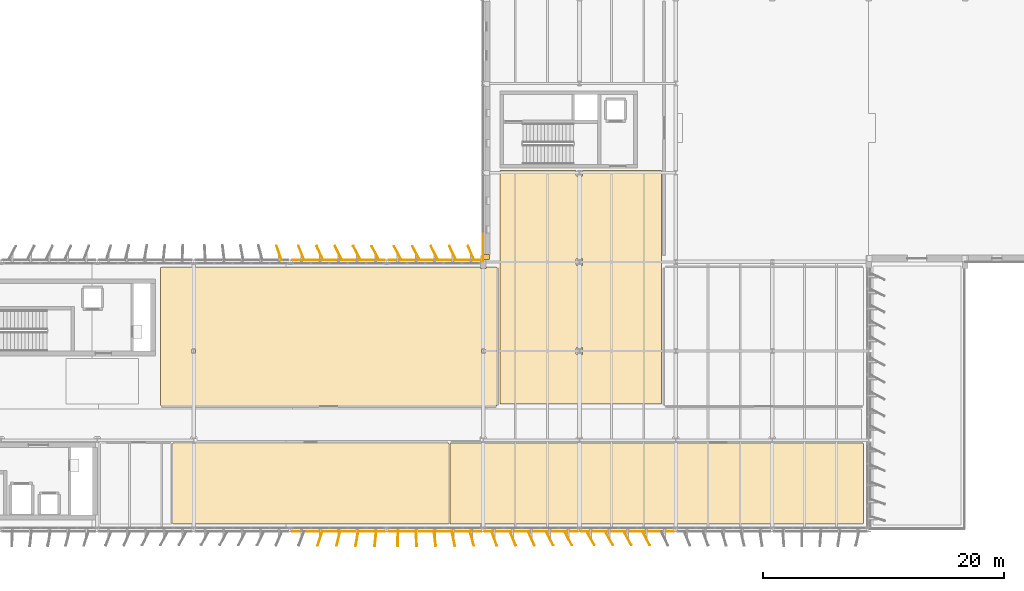
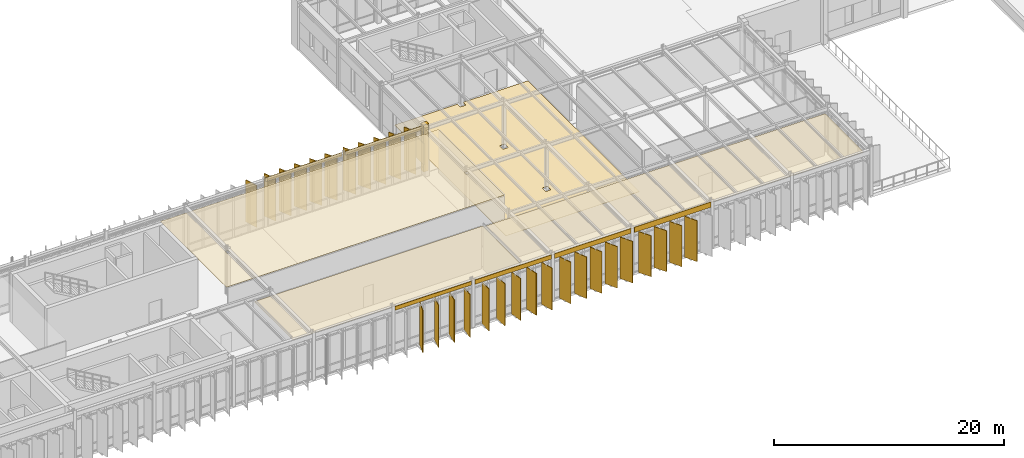
# One storey, part 45 of 48: 41 coverings.
"""IFC4 building model written with IfcOpenShell, lengths in metres."""

import ifcopenshell
import ifcopenshell.guid

model = None  # the IFC model being written
_history = None  # IfcOwnerHistory: only IFC2X3 demands one
_inside = {}  # id of a spatial element -> (the spatial element, [elements in it])
_under = {}  # id of a project, library or spatial element -> (it, [spatial elements below it])
_declared = {}  # id of a project -> (the project, [libraries it declares])
_typed = {}  # id of a type object -> (the type object, [elements of that type])
_made_of = {}  # id of a material, layer set ... -> (it, [elements and type objects made of it])


def new_model(schema):
    """Start an empty IFC model of exactly this schema.

    Asked for "IFC4X3", IfcOpenShell would pick the latest addendum, in which some entities
    have other attributes; the version numbers below select the first issue.
    IFC2X3 requires an IfcOwnerHistory on every rooted entity: one is made here for all.
    """
    global model, _history
    if schema == "IFC4X3":
        model = ifcopenshell.file(schema_version=(4, 3, 0, 0))
    else:
        model = ifcopenshell.file(schema=schema)
    _inside.clear()
    _under.clear()
    _declared.clear()
    _typed.clear()
    _made_of.clear()
    _history = None
    if model.schema == "IFC2X3":
        org = make("IfcOrganization", Name="unknown")
        user = make(
            "IfcPersonAndOrganization",
            ThePerson=make("IfcPerson", FamilyName="unknown"),
            TheOrganization=org,
        )
        app = make(
            "IfcApplication",
            ApplicationDeveloper=org,
            Version="unknown",
            ApplicationFullName="unknown",
            ApplicationIdentifier="unknown",
        )
        _history = make(
            "IfcOwnerHistory",
            OwningUser=user,
            OwningApplication=app,
            ChangeAction="ADDED",
            CreationDate=0,
        )
    return model


def make(cls, **values):
    """One entity of the class cls with the attributes given. An attribute that is None is left unset."""
    return model.create_entity(
        cls, **{name: value for name, value in values.items() if value is not None}
    )


def rooted(cls, **values):
    """An entity with a GlobalId (a new one), such as an element, a storey or a relation."""
    return make(cls, GlobalId=ifcopenshell.guid.new(), OwnerHistory=_history, **values)


def si_unit(unit_type, name, prefix=None):
    """IfcSIUnit, for example si_unit("LENGTHUNIT", "METRE", prefix="MILLI")."""
    return make("IfcSIUnit", UnitType=unit_type, Prefix=prefix, Name=name)


def assignment(units):
    """IfcUnitAssignment: the units of a project."""
    return None if units is None else make("IfcUnitAssignment", Units=units)


def point(xyz):
    """IfcCartesianPoint."""
    return None if xyz is None else make("IfcCartesianPoint", Coordinates=xyz)


def direction(xyz):
    """IfcDirection."""
    return None if xyz is None else make("IfcDirection", DirectionRatios=xyz)


def frame(location, z_axis=None, x_axis=None):
    """IfcAxis2Placement3D, a coordinate frame: its origin and axes. An axis left out is left unset."""
    return make(
        "IfcAxis2Placement3D",
        Location=point(location),
        Axis=direction(z_axis),
        RefDirection=direction(x_axis),
    )


def frame_2d(location, x_axis=None):
    """IfcAxis2Placement2D, a coordinate frame in the plane: its origin and x axis."""
    return make(
        "IfcAxis2Placement2D", Location=point(location), RefDirection=direction(x_axis)
    )


def origin():
    """The frame at (0, 0, 0) with its axes left unset."""
    return frame((0.0, 0.0, 0.0))


def origin_2d():
    """The frame at (0, 0) in the plane with its x axis left unset."""
    return frame_2d((0.0, 0.0))


def place(relative_to, where):
    """IfcLocalPlacement: puts the frame where relative to a parent placement (None: the world)."""
    return make(
        "IfcLocalPlacement", PlacementRelTo=relative_to, RelativePlacement=where
    )


def context(
    kind, dimensions, precision=None, world=None, true_north=None, identifier=None
):
    """IfcGeometricRepresentationContext, for example the 3D "Model" context."""
    return make(
        "IfcGeometricRepresentationContext",
        ContextIdentifier=identifier,
        ContextType=kind,
        CoordinateSpaceDimension=dimensions,
        Precision=precision,
        WorldCoordinateSystem=world,
        TrueNorth=true_north,
    )


def subcontext(parent, identifier, kind, view, scale=None):
    """IfcGeometricRepresentationSubContext, for example "Body" below "Model"."""
    return make(
        "IfcGeometricRepresentationSubContext",
        ContextIdentifier=identifier,
        ContextType=kind,
        ParentContext=parent,
        TargetScale=scale,
        TargetView=view,
    )


def project(units=None, contexts=None):
    """IfcProject with its units and contexts."""
    return rooted(
        "IfcProject",
        Name="project",
        RepresentationContexts=contexts,
        UnitsInContext=assignment(units),
    )


def spatial(cls, under=None, at=None, **own):
    """A site, building, storey or space (cls), placed at a placement, below another one or the project."""
    s = rooted(cls, ObjectPlacement=at, **own)
    if under is not None:
        _under.setdefault(under.id(), (under, []))[1].append(s)
    return s


def polyline(points):
    """IfcPolyline through the points."""
    return make("IfcPolyline", Points=[point(p) for p in points])


def profile(cls, at=None, kind="AREA", **sizes):
    """A parametric profile (cls). Its sizes go by their IFC names, for example OverallWidth=200.0."""
    return make(cls, ProfileType=kind, Position=at, **sizes)


def rectangle(**sizes):
    """IfcRectangleProfileDef."""
    return profile("IfcRectangleProfileDef", **sizes)


def outline(outer, holes=None, kind="AREA"):
    """IfcArbitraryClosedProfileDef: a profile drawn as a closed curve; with holes, ...WithVoids."""
    if holes is None:
        return make("IfcArbitraryClosedProfileDef", ProfileType=kind, OuterCurve=outer)
    return make(
        "IfcArbitraryProfileDefWithVoids",
        ProfileType=kind,
        OuterCurve=outer,
        InnerCurves=holes,
    )


def extrude(swept, where, along, depth):
    """IfcExtrudedAreaSolid: the profile swept, set in the frame where, extruded along a direction by depth."""
    return make(
        "IfcExtrudedAreaSolid",
        SweptArea=swept,
        Position=where,
        ExtrudedDirection=direction(along),
        Depth=depth,
    )


def shape(context_of_items, identifier, shape_type, items):
    """IfcShapeRepresentation: the items that make up one representation, for example the "Body"."""
    return make(
        "IfcShapeRepresentation",
        ContextOfItems=context_of_items,
        RepresentationIdentifier=identifier,
        RepresentationType=shape_type,
        Items=items,
    )


def material(Name=None, Category=None):
    """IfcMaterial."""
    return make("IfcMaterial", Name=Name, Category=Category)


def layer(
    of_material, thickness, ventilated=None, Name=None, Category=None, Priority=None
):
    """IfcMaterialLayer: one layer of a wall or slab, of a material (None: an air gap)."""
    return make(
        "IfcMaterialLayer",
        Material=of_material,
        LayerThickness=thickness,
        IsVentilated=ventilated,
        Name=Name,
        Category=Category,
        Priority=Priority,
    )


def layer_set(layers, Name=None):
    """IfcMaterialLayerSet."""
    return make("IfcMaterialLayerSet", MaterialLayers=layers, LayerSetName=Name)


def made_of(thing, what):
    """Note that an element or type object is made of a material, layer set ...; save() writes the relation."""
    if what is not None:
        _made_of.setdefault(what.id(), (what, []))[1].append(thing)
    return thing


def type_object(cls, material=None, **own):
    """A type object (cls), such as IfcWallType, which elements share."""
    return made_of(rooted(cls, **own), material)


def element(
    cls,
    number,
    at=None,
    inside=None,
    cuts=None,
    type_object=None,
    material=None,
    context=None,
    identifier="Body",
    shape_type=None,
    held_by="IfcProductDefinitionShape",
    body=None,
    shapes=None,
    **own,
):
    """One element of the class cls, such as IfcWall. Its Tag is "e" and its number.

    at: its placement. inside: the storey or other place that contains it. cuts: it is an
    opening in that element (IfcRelVoidsElement). A single representation is given by context,
    identifier, shape_type and body (its items); several are given by shapes. held_by: the class
    of the entity that holds the representations. save() writes the other relations.
    """
    e = rooted(cls, Tag="e%d" % number, ObjectPlacement=at, **own)
    if body is not None:
        shapes = [shape(context, identifier, shape_type, body)]
    if shapes is not None:
        e.Representation = make(held_by, Representations=shapes)
    if inside is not None:
        _inside.setdefault(inside.id(), (inside, []))[1].append(e)
    if cuts is not None:
        rooted(
            "IfcRelVoidsElement", RelatingBuildingElement=cuts, RelatedOpeningElement=e
        )
    if type_object is not None:
        _typed.setdefault(type_object.id(), (type_object, []))[1].append(e)
    return made_of(e, material)


def aggregate(whole, parts):
    """IfcRelAggregates: a whole, such as a stair, and the parts it consists of."""
    return rooted("IfcRelAggregates", RelatingObject=whole, RelatedObjects=parts)


def save(model, path):
    """Write the relations noted so far, then the file.

    IfcRelAggregates (storeys below a building ...), IfcRelContainedInSpatialStructure (elements
    in a storey), IfcRelDefinesByType, IfcRelAssociatesMaterial and IfcRelDeclares: one each for
    every whole, place, type object, material and project.
    """
    for whole, parts in _under.values():
        aggregate(whole, parts)
    for where, things in _inside.values():
        rooted(
            "IfcRelContainedInSpatialStructure",
            RelatedElements=things,
            RelatingStructure=where,
        )
    for kind, things in _typed.values():
        rooted("IfcRelDefinesByType", RelatedObjects=things, RelatingType=kind)
    for what, things in _made_of.values():
        rooted("IfcRelAssociatesMaterial", RelatedObjects=things, RelatingMaterial=what)
    for by, libraries in _declared.values():
        rooted("IfcRelDeclares", RelatingContext=by, RelatedDefinitions=libraries)
    model.write(path)


model = new_model("IFC4")

# Units and contexts
model_context = context("Model", 3, precision=1e-05, world=origin(), true_north=direction((0.0, 1.0)))
body_context = subcontext(model_context, "Body", "Model", "MODEL_VIEW")
ifc_project = project(units=[si_unit("LENGTHUNIT", "METRE"), si_unit("AREAUNIT", "SQUARE_METRE"), si_unit("VOLUMEUNIT", "CUBIC_METRE"), si_unit("PLANEANGLEUNIT", "RADIAN"), si_unit("MASSUNIT", "GRAM", prefix="KILO")], contexts=[model_context])

# Site, building, storey
site_placement = place(None, origin())
site = spatial("IfcSite", under=ifc_project, at=site_placement, CompositionType="ELEMENT")
building_placement = place(site_placement, origin())
building = spatial("IfcBuilding", under=site, at=building_placement, Name="Valkorina Park Police Headquarters", CompositionType="ELEMENT")
storey_placement = place(building_placement, frame((0.0, 0.0, 18.10009765625)))
storey = spatial("IfcBuildingStorey", under=building, at=storey_placement, Name="L05", CompositionType="ELEMENT", Elevation=18.10009765625)

# Coverings
ifc_material_1 = material(Name="Acoustic mineral board")
ifc_layer_1 = layer(ifc_material_1, 0.02490234375)
ifc_layer_set_1 = layer_set([ifc_layer_1], Name="Acoustic mineral board")
covering_type_1 = type_object("IfcCoveringType", Name="COV-CEILING-ACOUST", PredefinedType="CEILING", material=ifc_layer_set_1)
covering_1_placement = place(storey_placement, frame((0.0, 0.0, 4.5048828125)))
element("IfcCovering", 1, at=covering_1_placement, inside=storey, type_object=covering_type_1, Name="Dispatch Shift Rest and Quiet Pantry Acoustic Suspended Ceiling", PredefinedType="CEILING", context=body_context, shape_type="SweptSolid", body=[
    extrude(outline(polyline([(77.8955078125, 44.158447265625), (77.8876953125, 44.15966796875), (77.8798828125, 44.159912109375), (55.1201171875, 44.159912109375), (55.1123046875, 44.15966796875), (55.1044921875, 44.158447265625), (55.0966796875, 44.156494140625), (55.08935546875, 44.15380859375), (55.082275390625, 44.150634765625), (55.07568359375, 44.146484375), (55.069091796875, 44.141845703125), (55.0634765625, 44.13671875), (55.05810546875, 44.130859375), (55.053466796875, 44.12451171875), (55.04931640625, 44.11767578125), (55.046142578125, 44.110595703125), (55.04345703125, 44.103271484375), (55.04150390625, 44.095703125), (55.040283203125, 44.087890625), (55.0400390625, 44.080078125), (55.0400390625, 37.52001953125), (55.040283203125, 37.51220703125), (55.04150390625, 37.50439453125), (55.04345703125, 37.496826171875), (55.046142578125, 37.489501953125), (55.04931640625, 37.482421875), (55.053466796875, 37.4755859375), (55.05810546875, 37.46923828125), (55.0634765625, 37.46337890625), (55.069091796875, 37.458251953125), (55.07568359375, 37.45361328125), (55.082275390625, 37.449462890625), (55.08935546875, 37.446044921875), (55.0966796875, 37.443359375), (55.1044921875, 37.44140625), (55.1123046875, 37.4404296875), (55.1201171875, 37.43994140625), (77.8798828125, 37.43994140625), (77.8876953125, 37.4404296875), (77.8955078125, 37.44140625), (77.9033203125, 37.443359375), (77.91064453125, 37.446044921875), (77.917724609375, 37.449462890625), (77.92431640625, 37.45361328125), (77.930908203125, 37.458251953125), (77.9365234375, 37.46337890625), (77.94189453125, 37.46923828125), (77.946533203125, 37.4755859375), (77.95068359375, 37.482421875), (77.953857421875, 37.489501953125), (77.95654296875, 37.496826171875), (77.95849609375, 37.50439453125), (77.959716796875, 37.51220703125), (77.9599609375, 37.52001953125), (77.9599609375, 44.080078125), (77.959716796875, 44.087890625), (77.95849609375, 44.095703125), (77.95654296875, 44.103271484375), (77.953857421875, 44.110595703125), (77.95068359375, 44.11767578125), (77.946533203125, 44.12451171875), (77.94189453125, 44.130859375), (77.9365234375, 44.13671875), (77.930908203125, 44.141845703125), (77.92431640625, 44.146484375), (77.917724609375, 44.150634765625), (77.91064453125, 44.15380859375), (77.9033203125, 44.156494140625), (77.8955078125, 44.158447265625)])), origin(), (0.0, 0.0, 1.0), 0.02490234375),
])
covering_2_placement = place(storey_placement, frame((0.0, 0.0, 4.5048828125)))
element("IfcCovering", 2, at=covering_2_placement, inside=storey, type_object=covering_type_1, Name="Traffic Management CCTV Wall Room Acoustic Suspended Ceiling", PredefinedType="CEILING", context=body_context, shape_type="SweptSolid", body=[
    extrude(outline(polyline([(80.550537109375, 58.758544921875), (80.542724609375, 58.759521484375), (80.534912109375, 58.760009765625), (54.1201171875, 58.760009765625), (54.1123046875, 58.759521484375), (54.1044921875, 58.758544921875), (54.0966796875, 58.756591796875), (54.08935546875, 58.75390625), (54.082275390625, 58.75048828125), (54.07568359375, 58.74658203125), (54.069091796875, 58.74169921875), (54.0634765625, 58.736572265625), (54.05810546875, 58.730712890625), (54.053466796875, 58.724365234375), (54.04931640625, 58.7177734375), (54.046142578125, 58.710693359375), (54.04345703125, 58.703125), (54.04150390625, 58.695556640625), (54.040283203125, 58.687744140625), (54.0400390625, 58.679931640625), (54.0400390625, 47.320068359375), (54.040283203125, 47.312255859375), (54.04150390625, 47.304443359375), (54.04345703125, 47.296875), (54.046142578125, 47.289306640625), (54.04931640625, 47.2822265625), (54.053466796875, 47.275634765625), (54.05810546875, 47.269287109375), (54.0634765625, 47.263427734375), (54.069091796875, 47.25830078125), (54.07568359375, 47.25341796875), (54.082275390625, 47.24951171875), (54.08935546875, 47.24609375), (54.0966796875, 47.243408203125), (54.1044921875, 47.241455078125), (54.1123046875, 47.240478515625), (54.1201171875, 47.239990234375), (81.8798828125, 47.239990234375), (81.8876953125, 47.240478515625), (81.8955078125, 47.241455078125), (81.9033203125, 47.243408203125), (81.91064453125, 47.24609375), (81.917724609375, 47.24951171875), (81.92431640625, 47.25341796875), (81.930908203125, 47.25830078125), (81.9365234375, 47.263427734375), (81.94189453125, 47.269287109375), (81.946533203125, 47.275634765625), (81.95068359375, 47.2822265625), (81.953857421875, 47.289306640625), (81.95654296875, 47.296875), (81.95849609375, 47.304443359375), (81.959716796875, 47.312255859375), (81.9599609375, 47.320068359375), (81.9599609375, 58.679931640625), (81.959716796875, 58.687744140625), (81.95849609375, 58.695556640625), (81.95654296875, 58.703125), (81.953857421875, 58.710693359375), (81.95068359375, 58.7177734375), (81.946533203125, 58.724365234375), (81.94189453125, 58.730712890625), (81.9365234375, 58.736572265625), (81.930908203125, 58.74169921875), (81.92431640625, 58.74658203125), (81.917724609375, 58.75048828125), (81.91064453125, 58.75390625), (81.9033203125, 58.756591796875), (81.8955078125, 58.758544921875), (81.8876953125, 58.759521484375), (81.8798828125, 58.760009765625), (81.06494140625, 58.760009765625), (81.05712890625, 58.759521484375), (81.04931640625, 58.758544921875), (81.041748046875, 58.756591796875), (81.034423828125, 58.75390625), (81.02734375, 58.75048828125), (81.02490234375, 58.749267578125), (81.02490234375, 58.64990234375), (80.574951171875, 58.64990234375), (80.574951171875, 58.749267578125), (80.57275390625, 58.75048828125), (80.565673828125, 58.75390625), (80.55810546875, 58.756591796875), (80.550537109375, 58.758544921875)]), holes=[polyline([(80.64990234375, 51.97998046875), (80.949951171875, 51.97998046875), (80.949951171875, 51.6201171875), (80.64990234375, 51.6201171875), (80.64990234375, 51.97998046875)]), polyline([(56.949951171875, 51.97998046875), (56.949951171875, 51.6201171875), (56.64990234375, 51.6201171875), (56.64990234375, 51.97998046875), (56.949951171875, 51.97998046875)])]), origin(), (0.0, 0.0, 1.0), 0.02490234375),
])
covering_3_placement = place(storey_placement, frame((0.0, 0.0, 4.39501953125)))
element("IfcCovering", 3, at=covering_3_placement, inside=storey, type_object=covering_type_1, Name="Gold Commander Tactical Cell Acoustic Suspended Ceiling", PredefinedType="CEILING", context=body_context, shape_type="SweptSolid", body=[
    extrude(outline(polyline([(112.295654296875, 44.158447265625), (112.287841796875, 44.15966796875), (112.280029296875, 44.159912109375), (78.1201171875, 44.159912109375), (78.1123046875, 44.15966796875), (78.1044921875, 44.158447265625), (78.0966796875, 44.156494140625), (78.08935546875, 44.15380859375), (78.082275390625, 44.150634765625), (78.07568359375, 44.146484375), (78.069091796875, 44.141845703125), (78.0634765625, 44.13671875), (78.05810546875, 44.130859375), (78.053466796875, 44.12451171875), (78.04931640625, 44.11767578125), (78.046142578125, 44.110595703125), (78.04345703125, 44.103271484375), (78.04150390625, 44.095703125), (78.040283203125, 44.087890625), (78.0400390625, 44.080078125), (78.0400390625, 37.52001953125), (78.040283203125, 37.51220703125), (78.04150390625, 37.50439453125), (78.04345703125, 37.496826171875), (78.046142578125, 37.489501953125), (78.04931640625, 37.482421875), (78.053466796875, 37.4755859375), (78.05810546875, 37.46923828125), (78.0634765625, 37.46337890625), (78.069091796875, 37.458251953125), (78.07568359375, 37.45361328125), (78.082275390625, 37.449462890625), (78.08935546875, 37.446044921875), (78.0966796875, 37.443359375), (78.1044921875, 37.44140625), (78.1123046875, 37.4404296875), (78.1201171875, 37.43994140625), (112.280029296875, 37.43994140625), (112.287841796875, 37.4404296875), (112.295654296875, 37.44140625), (112.30322265625, 37.443359375), (112.310546875, 37.446044921875), (112.317626953125, 37.449462890625), (112.324462890625, 37.45361328125), (112.330810546875, 37.458251953125), (112.336669921875, 37.46337890625), (112.341796875, 37.46923828125), (112.346435546875, 37.4755859375), (112.3505859375, 37.482421875), (112.35400390625, 37.489501953125), (112.356689453125, 37.496826171875), (112.3583984375, 37.50439453125), (112.359619140625, 37.51220703125), (112.360107421875, 37.52001953125), (112.360107421875, 44.080078125), (112.359619140625, 44.087890625), (112.3583984375, 44.095703125), (112.356689453125, 44.103271484375), (112.35400390625, 44.110595703125), (112.3505859375, 44.11767578125), (112.346435546875, 44.12451171875), (112.341796875, 44.130859375), (112.336669921875, 44.13671875), (112.330810546875, 44.141845703125), (112.324462890625, 44.146484375), (112.317626953125, 44.150634765625), (112.310546875, 44.15380859375), (112.30322265625, 44.156494140625), (112.295654296875, 44.158447265625)])), origin(), (0.0, 0.0, 1.0), 0.02490234375),
])
ifc_material_2 = material(Name="Precast concrete C40/50", Category="concrete")
ifc_layer_2 = layer(ifc_material_2, 0.044921875)
ifc_layer_set_2 = layer_set([ifc_layer_2], Name="Precast concrete C40/50")
covering_type_2 = type_object("IfcCoveringType", Name="COV-CLAD-DOLOMITE", PredefinedType="CLADDING", material=ifc_layer_set_2)
covering_4_placement = place(storey_placement, frame((96.639892578125, 36.840087890625, 4.409912109375), z_axis=(0.0, 0.0, 1.0), x_axis=(-1.0, 0.0, 0.0)))
element("IfcCovering", 4, at=covering_4_placement, inside=storey, type_object=covering_type_2, Name="L05 Spandrel Beam Insulated Fascia 2398", PredefinedType="CLADDING", context=body_context, shape_type="SweptSolid", body=[
    extrude(rectangle(XDim=7.679931640625, YDim=0.044921875, at=frame_2d((3.83984375, 0.0))), origin(), (0.0, 0.0, 1.0), 0.570068359375),
])
covering_5_placement = place(storey_placement, frame((88.639892578125, 36.840087890625, 4.469970703125), z_axis=(0.0, 0.0, 1.0), x_axis=(-1.0, 0.0, 0.0)))
element("IfcCovering", 5, at=covering_5_placement, inside=storey, type_object=covering_type_2, Name="L05 Spandrel Beam Insulated Fascia 2399", PredefinedType="CLADDING", context=body_context, shape_type="SweptSolid", body=[
    extrude(rectangle(XDim=7.679931640625, YDim=0.044921875, at=frame_2d((3.83984375, 0.0))), origin(), (0.0, 0.0, 1.0), 0.510009765625),
])
covering_6_placement = place(storey_placement, frame((80.639892578125, 36.840087890625, 4.52001953125), z_axis=(0.0, 0.0, 1.0), x_axis=(-1.0, 0.0, 0.0)))
element("IfcCovering", 6, at=covering_6_placement, inside=storey, type_object=covering_type_2, Name="L05 Spandrel Beam Insulated Fascia 2400", PredefinedType="CLADDING", context=body_context, shape_type="SweptSolid", body=[
    extrude(rectangle(XDim=7.679931640625, YDim=0.044921875, at=frame_2d((3.83984375, 0.0))), origin(), (0.0, 0.0, 1.0), 0.4599609375),
])
for number, where, z_axis, x_axis, name in (
    (7, (72.639892578125, 36.840087890625, 4.579833984375), (0.0, 0.0, 1.0), (-1.0, 0.0, 0.0), "L05 Spandrel Beam Insulated Fascia 2401"),
    (8, (64.9599609375, 59.360107421875, 4.579833984375), (0.0, 0.0, 1.0), (1.0, 0.0, 0.0), "L05 Spandrel Beam Insulated Fascia 2421"),
):
    element("IfcCovering", number, at=place(storey_placement, frame(where, z_axis=z_axis, x_axis=x_axis)), inside=storey, type_object=covering_type_2, Name=name, PredefinedType="CLADDING", context=body_context, shape_type="SweptSolid", body=[
        extrude(rectangle(XDim=7.679931640625, YDim=0.044921875, at=frame_2d((3.83984375, 0.0))), origin(), (0.0, 0.0, 1.0), 0.400146484375),
    ])
covering_7_placement = place(storey_placement, frame((72.9599609375, 59.360107421875, 4.579833984375), z_axis=(0.0, 0.0, 1.0), x_axis=(1.0, 0.0, 0.0)))
element("IfcCovering", 9, at=covering_7_placement, inside=storey, type_object=covering_type_2, Name="L05 Spandrel Beam Insulated Fascia 2422", PredefinedType="CLADDING", context=body_context, shape_type="SweptSolid", body=[
    extrude(rectangle(XDim=7.60498046875, YDim=0.044921875, at=frame_2d((3.802490234375, 0.0))), origin(), (0.0, 0.0, 1.0), 0.400146484375),
])
covering_8_placement = place(storey_placement, frame((81.090087890625, 59.590087890625, 0.0), z_axis=(0.0, 0.0, 1.0), x_axis=(0.0, 1.0, 0.0)))
element("IfcCovering", 10, at=covering_8_placement, inside=storey, type_object=covering_type_2, Name="L05 Exterior Joint Closure Pilaster A 2423", PredefinedType="CLADDING", context=body_context, shape_type="SweptSolid", body=[
    extrude(rectangle(XDim=0.419921875, YDim=0.52197265625, at=origin_2d()), origin(), (0.0, 0.0, 1.0), 4.97998046875),
])
covering_9_placement = place(storey_placement, frame((80.784912109375, 59.219970703125, 0.869873046875), z_axis=(0.0, 0.0, 1.0), x_axis=(0.0, 1.0, 0.0)))
element("IfcCovering", 11, at=covering_9_placement, inside=storey, type_object=covering_type_2, Name="L05 Calm Concrete Base Slot Pier 2427", PredefinedType="CLADDING", context=body_context, shape_type="SweptSolid", body=[
    extrude(rectangle(XDim=2.318115234375, YDim=0.044921875, at=frame_2d((1.1591796875, 0.0))), origin(), (0.0, 0.0, 1.0), 2.260009765625),
])
ifc_material_3 = material(Name="Resin terrazzo flooring")
ifc_layer_3 = layer(ifc_material_3, 0.030029296875)
ifc_layer_set_3 = layer_set([ifc_layer_3], Name="Resin terrazzo flooring")
covering_type_3 = type_object("IfcCoveringType", Name="COV-FLOOR-TERRAZZO", PredefinedType="FLOORING", material=ifc_layer_set_3)
covering_10_placement = place(storey_placement, origin())
element("IfcCovering", 12, at=covering_10_placement, inside=storey, type_object=covering_type_3, Name="112 Command Security Airlock Corridor Terrazzo Flooring", PredefinedType="FLOORING", context=body_context, shape_type="SweptSolid", body=[
    extrude(outline(polyline([(82.199951171875, 66.800048828125), (82.199951171875, 47.39990234375), (95.60009765625, 47.39990234375), (95.60009765625, 66.800048828125), (89.070068359375, 66.800048828125), (89.070068359375, 66.3798828125), (89.069580078125, 66.372314453125), (89.068603515625, 66.364501953125), (89.066650390625, 66.356689453125), (89.06396484375, 66.349365234375), (89.060546875, 66.34228515625), (89.056396484375, 66.335693359375), (89.0517578125, 66.3291015625), (89.046630859375, 66.323486328125), (89.040771484375, 66.318115234375), (89.034423828125, 66.3134765625), (89.027587890625, 66.309326171875), (89.0205078125, 66.30615234375), (89.01318359375, 66.303466796875), (89.005615234375, 66.301513671875), (88.997802734375, 66.30029296875), (88.989990234375, 66.300048828125), (88.610107421875, 66.300048828125), (88.602294921875, 66.30029296875), (88.594482421875, 66.301513671875), (88.5869140625, 66.303466796875), (88.579345703125, 66.30615234375), (88.572265625, 66.309326171875), (88.565673828125, 66.3134765625), (88.55908203125, 66.318115234375), (88.553466796875, 66.323486328125), (88.548095703125, 66.3291015625), (88.54345703125, 66.335693359375), (88.539306640625, 66.34228515625), (88.5361328125, 66.349365234375), (88.533447265625, 66.356689453125), (88.531494140625, 66.364501953125), (88.530517578125, 66.372314453125), (88.530029296875, 66.3798828125), (88.530029296875, 66.800048828125), (82.199951171875, 66.800048828125)]), holes=[polyline([(88.530029296875, 59.419921875), (88.530517578125, 59.427734375), (88.531494140625, 59.435546875), (88.533447265625, 59.443115234375), (88.5361328125, 59.45068359375), (88.539306640625, 59.457763671875), (88.54345703125, 59.46435546875), (88.548095703125, 59.470703125), (88.553466796875, 59.4765625), (88.55908203125, 59.481689453125), (88.565673828125, 59.486572265625), (88.572265625, 59.490478515625), (88.579345703125, 59.493896484375), (88.5869140625, 59.49658203125), (88.594482421875, 59.49853515625), (88.602294921875, 59.49951171875), (88.610107421875, 59.5), (88.989990234375, 59.5), (88.997802734375, 59.49951171875), (89.005615234375, 59.49853515625), (89.01318359375, 59.49658203125), (89.0205078125, 59.493896484375), (89.027587890625, 59.490478515625), (89.034423828125, 59.486572265625), (89.040771484375, 59.481689453125), (89.046630859375, 59.4765625), (89.0517578125, 59.470703125), (89.056396484375, 59.46435546875), (89.060546875, 59.457763671875), (89.06396484375, 59.45068359375), (89.066650390625, 59.443115234375), (89.068603515625, 59.435546875), (89.069580078125, 59.427734375), (89.070068359375, 59.419921875), (89.070068359375, 58.97998046875), (89.069580078125, 58.97216796875), (89.068603515625, 58.96435546875), (89.066650390625, 58.956787109375), (89.06396484375, 58.949462890625), (89.060546875, 58.9423828125), (89.056396484375, 58.935546875), (89.0517578125, 58.92919921875), (89.046630859375, 58.92333984375), (89.040771484375, 58.918212890625), (89.034423828125, 58.91357421875), (89.027587890625, 58.909423828125), (89.0205078125, 58.906005859375), (89.01318359375, 58.9033203125), (89.005615234375, 58.901611328125), (88.997802734375, 58.900390625), (88.989990234375, 58.89990234375), (88.610107421875, 58.89990234375), (88.602294921875, 58.900390625), (88.594482421875, 58.901611328125), (88.5869140625, 58.9033203125), (88.579345703125, 58.906005859375), (88.572265625, 58.909423828125), (88.565673828125, 58.91357421875), (88.55908203125, 58.918212890625), (88.553466796875, 58.92333984375), (88.548095703125, 58.92919921875), (88.54345703125, 58.935546875), (88.539306640625, 58.9423828125), (88.5361328125, 58.949462890625), (88.533447265625, 58.956787109375), (88.531494140625, 58.96435546875), (88.530517578125, 58.97216796875), (88.530029296875, 58.97998046875), (88.530029296875, 59.419921875)]), polyline([(88.989990234375, 52.10009765625), (88.997802734375, 52.099609375), (89.005615234375, 52.098388671875), (89.01318359375, 52.0966796875), (89.0205078125, 52.093994140625), (89.027587890625, 52.090576171875), (89.034423828125, 52.08642578125), (89.040771484375, 52.081787109375), (89.046630859375, 52.07666015625), (89.0517578125, 52.07080078125), (89.056396484375, 52.064453125), (89.060546875, 52.0576171875), (89.06396484375, 52.050537109375), (89.066650390625, 52.043212890625), (89.068603515625, 52.03564453125), (89.069580078125, 52.02783203125), (89.070068359375, 52.02001953125), (89.070068359375, 51.580078125), (89.069580078125, 51.572265625), (89.068603515625, 51.564453125), (89.066650390625, 51.556884765625), (89.06396484375, 51.54931640625), (89.060546875, 51.542236328125), (89.056396484375, 51.53564453125), (89.0517578125, 51.529296875), (89.046630859375, 51.5234375), (89.040771484375, 51.518310546875), (89.034423828125, 51.513427734375), (89.027587890625, 51.509521484375), (89.0205078125, 51.506103515625), (89.01318359375, 51.50341796875), (89.005615234375, 51.50146484375), (88.997802734375, 51.50048828125), (88.989990234375, 51.5), (88.610107421875, 51.5), (88.602294921875, 51.50048828125), (88.594482421875, 51.50146484375), (88.5869140625, 51.50341796875), (88.579345703125, 51.506103515625), (88.572265625, 51.509521484375), (88.565673828125, 51.513427734375), (88.55908203125, 51.518310546875), (88.553466796875, 51.5234375), (88.548095703125, 51.529296875), (88.54345703125, 51.53564453125), (88.539306640625, 51.542236328125), (88.5361328125, 51.54931640625), (88.533447265625, 51.556884765625), (88.531494140625, 51.564453125), (88.530517578125, 51.572265625), (88.530029296875, 51.580078125), (88.530029296875, 52.02001953125), (88.530517578125, 52.02783203125), (88.531494140625, 52.03564453125), (88.533447265625, 52.043212890625), (88.5361328125, 52.050537109375), (88.539306640625, 52.0576171875), (88.54345703125, 52.064453125), (88.548095703125, 52.07080078125), (88.553466796875, 52.07666015625), (88.55908203125, 52.081787109375), (88.565673828125, 52.08642578125), (88.572265625, 52.090576171875), (88.579345703125, 52.093994140625), (88.5869140625, 52.0966796875), (88.594482421875, 52.098388671875), (88.602294921875, 52.099609375), (88.610107421875, 52.10009765625), (88.989990234375, 52.10009765625)])]), origin(), (0.0, 0.0, 1.0), 0.02978515625),
])
ifc_material_4 = material(Name="Polychrome anodized aluminium - Baltic Amber", Category="aluminium")
ifc_layer_4 = layer(ifc_material_4, 0.06494140625)
ifc_layer_set_4 = layer_set([ifc_layer_4], Name="Polychrome anodized aluminium - Baltic Amber")
covering_type_4 = type_object("IfcCoveringType", Name="SHD-LOUVRE-AMBER", PredefinedType="CLADDING", material=ifc_layer_set_4)
covering_11_placement = place(storey_placement, frame((94.3359375, 36.260009765625, 0.039794921875), z_axis=(0.0, 0.0, 1.0), x_axis=(0.457718745382, -0.889097042019, 0.0)))
element("IfcCovering", 13, at=covering_11_placement, inside=storey, type_object=covering_type_4, Name="V5 Polychrome Pivoting Louvre 0169", PredefinedType="CLADDING", context=body_context, shape_type="SweptSolid", body=[
    extrude(rectangle(XDim=1.280029296875, YDim=0.06494140625, at=origin_2d()), origin(), (0.0, 0.0, 1.0), 4.35009765625),
])
for number, where, z_axis, x_axis, name in (
    (14, (87.8720703125, 36.260009765625, 0.0400390625), (0.0, 0.0, 1.0), (0.46931745221, -0.883029517656, 0.0), "V5 Polychrome Pivoting Louvre 0173"),
    (15, (81.72802734375, 36.260009765625, 0.0400390625), (0.0, 0.0, 1.0), (0.328536977169, -0.944491108816, 0.0), "V5 Polychrome Pivoting Louvre 0177"),
):
    element("IfcCovering", number, at=place(storey_placement, frame(where, z_axis=z_axis, x_axis=x_axis)), inside=storey, type_object=covering_type_4, Name=name, PredefinedType="CLADDING", context=body_context, shape_type="SweptSolid", body=[
        extrude(rectangle(XDim=1.280029296875, YDim=0.06494140625, at=origin_2d()), origin(), (0.0, 0.0, 1.0), 4.409912109375),
    ])
covering_12_placement = place(storey_placement, frame((75.263916015625, 36.260009765625, 0.0400390625), z_axis=(0.0, 0.0, 1.0), x_axis=(0.054950179912, -0.998489097451, 0.0)))
element("IfcCovering", 16, at=covering_12_placement, inside=storey, type_object=covering_type_4, Name="V5 Polychrome Pivoting Louvre 0181", PredefinedType="CLADDING", context=body_context, shape_type="SweptSolid", body=[
    extrude(rectangle(XDim=1.280029296875, YDim=0.06494140625, at=origin_2d()), origin(), (0.0, 0.0, 1.0), 4.4599609375),
])
for number, where, z_axis, x_axis, name in (
    (17, (68.800048828125, 36.260009765625, 0.039794921875), (0.0, 0.0, 1.0), (-0.242599230795, -0.97012659649, 0.0), "V5 Polychrome Pivoting Louvre 0185"),
    (18, (68.800048828125, 59.93994140625, 0.039794921875), (0.0, 0.0, 1.0), (-0.447446941857, 0.894310479768, 0.0), "V5 Polychrome Pivoting Louvre 0287"),
    (19, (75.241455078125, 59.93994140625, 0.039794921875), (0.0, 0.0, 1.0), (-0.475931235364, 0.87948249511, 0.0), "V5 Polychrome Pivoting Louvre 0291"),
):
    element("IfcCovering", number, at=place(storey_placement, frame(where, z_axis=z_axis, x_axis=x_axis)), inside=storey, type_object=covering_type_4, Name=name, PredefinedType="CLADDING", context=body_context, shape_type="SweptSolid", body=[
        extrude(rectangle(XDim=1.280029296875, YDim=0.06494140625, at=origin_2d()), origin(), (0.0, 0.0, 1.0), 4.52001953125),
    ])
ifc_material_5 = material(Name="Polychrome anodized aluminium - Riga Ochre", Category="aluminium")
ifc_layer_5 = layer(ifc_material_5, 0.06494140625)
ifc_layer_set_5 = layer_set([ifc_layer_5], Name="Polychrome anodized aluminium - Riga Ochre")
covering_type_5 = type_object("IfcCoveringType", Name="SHD-LOUVRE-OCHRE", PredefinedType="CLADDING", material=ifc_layer_set_5)
covering_13_placement = place(storey_placement, frame((91.263916015625, 36.260009765625, 0.039794921875), z_axis=(0.0, 0.0, 1.0), x_axis=(0.484046186062, -0.875042450261, 0.0)))
element("IfcCovering", 20, at=covering_13_placement, inside=storey, type_object=covering_type_5, Name="V5 Polychrome Pivoting Louvre 0171", PredefinedType="CLADDING", context=body_context, shape_type="SweptSolid", body=[
    extrude(rectangle(XDim=1.280029296875, YDim=0.06494140625, at=origin_2d()), origin(), (0.0, 0.0, 1.0), 4.35009765625),
])
covering_14_placement = place(storey_placement, frame((84.800048828125, 36.260009765625, 0.0400390625), z_axis=(0.0, 0.0, 1.0), x_axis=(0.416756810089, -0.909018020308, 0.0)))
element("IfcCovering", 21, at=covering_14_placement, inside=storey, type_object=covering_type_5, Name="V5 Polychrome Pivoting Louvre 0175", PredefinedType="CLADDING", context=body_context, shape_type="SweptSolid", body=[
    extrude(rectangle(XDim=1.280029296875, YDim=0.06494140625, at=origin_2d()), origin(), (0.0, 0.0, 1.0), 4.409912109375),
])
covering_15_placement = place(storey_placement, frame((78.3359375, 36.260009765625, 0.0400390625), z_axis=(0.0, 0.0, 1.0), x_axis=(0.196117290802, -0.980580444557, 0.0)))
element("IfcCovering", 22, at=covering_15_placement, inside=storey, type_object=covering_type_5, Name="V5 Polychrome Pivoting Louvre 0179", PredefinedType="CLADDING", context=body_context, shape_type="SweptSolid", body=[
    extrude(rectangle(XDim=1.280029296875, YDim=0.06494140625, at=origin_2d()), origin(), (0.0, 0.0, 1.0), 4.4599609375),
])
for number, where, z_axis, x_axis, name in (
    (23, (71.8720703125, 36.260009765625, 0.039794921875), (0.0, 0.0, 1.0), (-0.107131754314, -0.994244832633, 0.0), "V5 Polychrome Pivoting Louvre 0183"),
    (24, (65.72802734375, 59.93994140625, 0.039794921875), (0.0, 0.0, 1.0), (-0.376547659716, 0.926397247385, 0.0), "V5 Polychrome Pivoting Louvre 0285"),
    (25, (71.8720703125, 59.93994140625, 0.039794921875), (0.0, 0.0, 1.0), (-0.481600722397, 0.876390748574, 0.0), "V5 Polychrome Pivoting Louvre 0289"),
    (26, (78.283447265625, 59.93994140625, 0.039794921875), (0.0, 0.0, 1.0), (-0.431928342753, 0.901907925859, 0.0), "V5 Polychrome Pivoting Louvre 0293"),
):
    element("IfcCovering", number, at=place(storey_placement, frame(where, z_axis=z_axis, x_axis=x_axis)), inside=storey, type_object=covering_type_5, Name=name, PredefinedType="CLADDING", context=body_context, shape_type="SweptSolid", body=[
        extrude(rectangle(XDim=1.280029296875, YDim=0.06494140625, at=origin_2d()), origin(), (0.0, 0.0, 1.0), 4.52001953125),
    ])
ifc_material_6 = material(Name="Polychrome anodized aluminium - Courland Slate Blue", Category="masonry")
ifc_layer_6 = layer(ifc_material_6, 0.06494140625)
ifc_layer_set_6 = layer_set([ifc_layer_6], Name="Polychrome anodized aluminium - Courland Slate Blue")
covering_type_6 = type_object("IfcCoveringType", Name="SHD-LOUVRE-SLATE", PredefinedType="CLADDING", material=ifc_layer_set_6)
covering_16_placement = place(storey_placement, frame((89.72802734375, 36.260009765625, 0.039794921875), z_axis=(0.0, 0.0, 1.0), x_axis=(0.48312957851, -0.875548862354, 0.0)))
element("IfcCovering", 27, at=covering_16_placement, inside=storey, type_object=covering_type_6, Name="V5 Polychrome Pivoting Louvre 0172", PredefinedType="CLADDING", context=body_context, shape_type="SweptSolid", body=[
    extrude(rectangle(XDim=1.280029296875, YDim=0.06494140625, at=origin_2d()), origin(), (0.0, 0.0, 1.0), 4.35009765625),
])
covering_17_placement = place(storey_placement, frame((83.263916015625, 36.260009765625, 0.0400390625), z_axis=(0.0, 0.0, 1.0), x_axis=(0.376871010412, -0.926265751019, 0.0)))
element("IfcCovering", 28, at=covering_17_placement, inside=storey, type_object=covering_type_6, Name="V5 Polychrome Pivoting Louvre 0176", PredefinedType="CLADDING", context=body_context, shape_type="SweptSolid", body=[
    extrude(rectangle(XDim=1.280029296875, YDim=0.06494140625, at=origin_2d()), origin(), (0.0, 0.0, 1.0), 4.409912109375),
])
covering_18_placement = place(storey_placement, frame((76.800048828125, 36.260009765625, 0.0400390625), z_axis=(0.0, 0.0, 1.0), x_axis=(0.127064608601, -0.99189444259, 0.0)))
element("IfcCovering", 29, at=covering_18_placement, inside=storey, type_object=covering_type_6, Name="V5 Polychrome Pivoting Louvre 0180", PredefinedType="CLADDING", context=body_context, shape_type="SweptSolid", body=[
    extrude(rectangle(XDim=1.280029296875, YDim=0.06494140625, at=origin_2d()), origin(), (0.0, 0.0, 1.0), 4.4599609375),
])
for number, where, z_axis, x_axis, name in (
    (30, (70.3359375, 36.260009765625, 0.039794921875), (0.0, 0.0, 1.0), (-0.17708474032, -0.984195607969, 0.0), "V5 Polychrome Pivoting Louvre 0184"),
    (31, (67.263916015625, 59.93994140625, 0.039794921875), (0.0, 0.0, 1.0), (-0.416598150168, 0.909090744247, 0.0), "V5 Polychrome Pivoting Louvre 0286"),
    (32, (73.720458984375, 59.93994140625, 0.039794921875), (0.0, 0.0, 1.0), (-0.484046186062, 0.875042450261, 0.0), "V5 Polychrome Pivoting Louvre 0290"),
    (33, (79.804443359375, 59.93994140625, 0.039794921875), (0.0, 0.0, 1.0), (-0.396507080307, 0.918031663543, 0.0), "V5 Polychrome Pivoting Louvre 0294"),
):
    element("IfcCovering", number, at=place(storey_placement, frame(where, z_axis=z_axis, x_axis=x_axis)), inside=storey, type_object=covering_type_6, Name=name, PredefinedType="CLADDING", context=body_context, shape_type="SweptSolid", body=[
        extrude(rectangle(XDim=1.280029296875, YDim=0.06494140625, at=origin_2d()), origin(), (0.0, 0.0, 1.0), 4.52001953125),
    ])
ifc_material_7 = material(Name="Polychrome anodized aluminium - Pine Verdigris", Category="aluminium")
ifc_layer_7 = layer(ifc_material_7, 0.06494140625)
ifc_layer_set_7 = layer_set([ifc_layer_7], Name="Polychrome anodized aluminium - Pine Verdigris")
covering_type_7 = type_object("IfcCoveringType", Name="SHD-LOUVRE-VERDIGRIS", PredefinedType="CLADDING", material=ifc_layer_set_7)
covering_19_placement = place(storey_placement, frame((92.800048828125, 36.260009765625, 0.039794921875), z_axis=(0.0, 0.0, 1.0), x_axis=(0.47562420907, -0.879648572867, 0.0)))
element("IfcCovering", 34, at=covering_19_placement, inside=storey, type_object=covering_type_7, Name="V5 Polychrome Pivoting Louvre 0170", PredefinedType="CLADDING", context=body_context, shape_type="SweptSolid", body=[
    extrude(rectangle(XDim=1.280029296875, YDim=0.06494140625, at=origin_2d()), origin(), (0.0, 0.0, 1.0), 4.35009765625),
])
covering_20_placement = place(storey_placement, frame((86.3359375, 36.260009765625, 0.0400390625), z_axis=(0.0, 0.0, 1.0), x_axis=(0.447603021665, -0.894232371924, 0.0)))
element("IfcCovering", 35, at=covering_20_placement, inside=storey, type_object=covering_type_7, Name="V5 Polychrome Pivoting Louvre 0174", PredefinedType="CLADDING", context=body_context, shape_type="SweptSolid", body=[
    extrude(rectangle(XDim=1.280029296875, YDim=0.06494140625, at=origin_2d()), origin(), (0.0, 0.0, 1.0), 4.409912109375),
])
for number, where, z_axis, x_axis, name in (
    (36, (79.8720703125, 36.260009765625, 0.0400390625), (0.0, 0.0, 1.0), (0.259998952669, -0.96560889837, 0.0), "V5 Polychrome Pivoting Louvre 0178"),
    (37, (73.72802734375, 36.260009765625, 0.0400390625), (0.0, 0.0, 1.0), (-0.018848439715, -0.999822352381, 0.0), "V5 Polychrome Pivoting Louvre 0182"),
):
    element("IfcCovering", number, at=place(storey_placement, frame(where, z_axis=z_axis, x_axis=x_axis)), inside=storey, type_object=covering_type_7, Name=name, PredefinedType="CLADDING", context=body_context, shape_type="SweptSolid", body=[
        extrude(rectangle(XDim=1.280029296875, YDim=0.06494140625, at=origin_2d()), origin(), (0.0, 0.0, 1.0), 4.4599609375),
    ])
covering_21_placement = place(storey_placement, frame((67.263916015625, 36.260009765625, 0.039794921875), z_axis=(0.0, 0.0, 1.0), x_axis=(-0.302037146025, -0.953296156722, 0.0)))
element("IfcCovering", 38, at=covering_21_placement, inside=storey, type_object=covering_type_7, Name="V5 Polychrome Pivoting Louvre 0186", PredefinedType="CLADDING", context=body_context, shape_type="SweptSolid", body=[
    extrude(rectangle(XDim=1.280029296875, YDim=0.06494140625, at=origin_2d()), origin(), (0.0, 0.0, 1.0), 4.52001953125),
])
covering_22_placement = place(storey_placement, frame((63.8720703125, 59.93994140625, 0.0400390625), z_axis=(0.0, 0.0, 1.0), x_axis=(-0.317139137872, 0.948379020872, 0.0)))
element("IfcCovering", 39, at=covering_22_placement, inside=storey, type_object=covering_type_7, Name="V5 Polychrome Pivoting Louvre 0284", PredefinedType="CLADDING", context=body_context, shape_type="SweptSolid", body=[
    extrude(rectangle(XDim=1.280029296875, YDim=0.06494140625, at=origin_2d()), origin(), (0.0, 0.0, 1.0), 4.4599609375),
])
for number, where, z_axis, x_axis, name in (
    (40, (70.3359375, 59.93994140625, 0.039794921875), (0.0, 0.0, 1.0), (-0.46931745221, 0.883029517656, 0.0), "V5 Polychrome Pivoting Louvre 0288"),
    (41, (76.762451171875, 59.93994140625, 0.039794921875), (0.0, 0.0, 1.0), (-0.458494454534, 0.888697268569, 0.0), "V5 Polychrome Pivoting Louvre 0292"),
):
    element("IfcCovering", number, at=place(storey_placement, frame(where, z_axis=z_axis, x_axis=x_axis)), inside=storey, type_object=covering_type_7, Name=name, PredefinedType="CLADDING", context=body_context, shape_type="SweptSolid", body=[
        extrude(rectangle(XDim=1.280029296875, YDim=0.06494140625, at=origin_2d()), origin(), (0.0, 0.0, 1.0), 4.52001953125),
    ])

save(model, "model.ifc")
